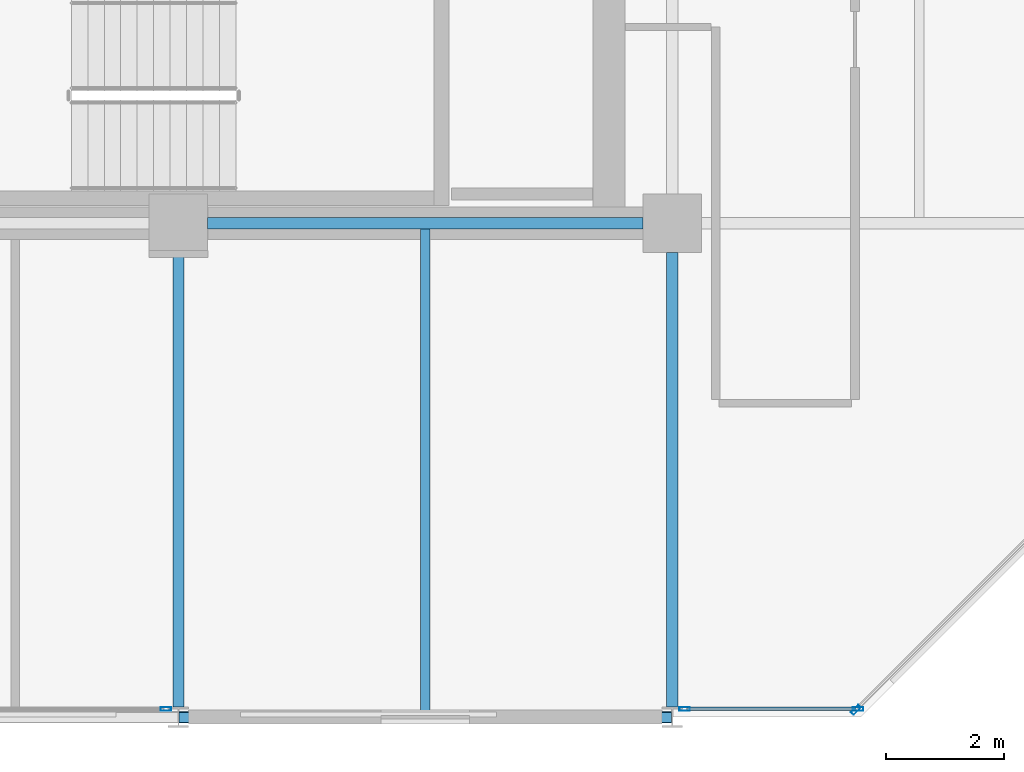
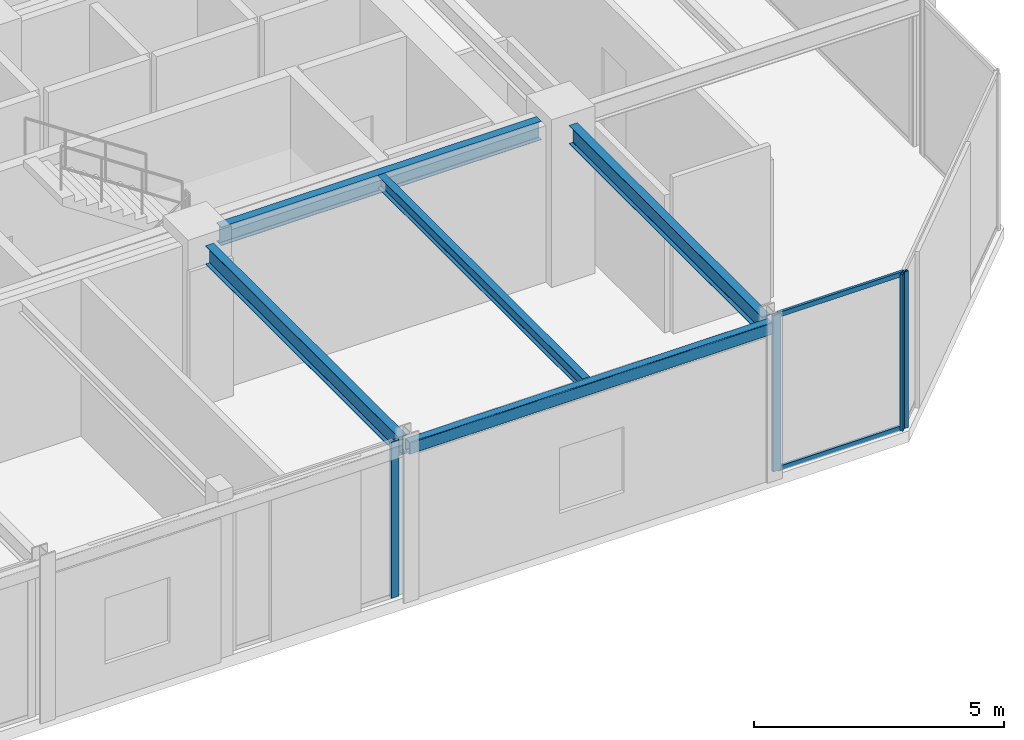
# One storey, part 11 of 29: 6 members, 5 beams, 3 elements without a shape of their own.
"""IFC4 building model written with IfcOpenShell, lengths in metres."""

from ifc_helpers import new_model, si_unit, direction, frame, origin, origin_2d, place, context, subcontext, project, spatial, hollow_rectangle, i_section, extrude, material, layer, layer_set, material_profile, profile_set, type_object, element, aggregate, save


model = new_model("IFC4")

# Units and contexts
model_context = context("Model", 3, precision=1e-05, world=origin(), true_north=direction((0.0, 1.0)))
body_context = subcontext(model_context, "Body", "Model", "MODEL_VIEW")
ifc_project = project(units=[si_unit("LENGTHUNIT", "METRE"), si_unit("AREAUNIT", "SQUARE_METRE"), si_unit("VOLUMEUNIT", "CUBIC_METRE"), si_unit("PLANEANGLEUNIT", "RADIAN"), si_unit("MASSUNIT", "GRAM", prefix="KILO")], contexts=[model_context])

# Site, building, storey
site_placement = place(None, origin())
site = spatial("IfcSite", under=ifc_project, at=site_placement, CompositionType="ELEMENT")
building_placement = place(site_placement, origin())
building = spatial("IfcBuilding", under=site, at=building_placement, Name="Nerrivon Quay Data Exchange", CompositionType="ELEMENT")
storey_placement = place(building_placement, frame((0.0, 0.0, 196.0)))
storey = spatial("IfcBuildingStorey", under=building, at=storey_placement, Name="L46", CompositionType="ELEMENT", Elevation=196.0)

# Beams
ifc_material_1 = material(Name="Steel Grade 350", Category="steel")
ifc_material_profile_1 = material_profile(ifc_material_1, i_section(OverallWidth=0.19091796875, OverallDepth=0.4599609375, WebThickness=0.010009765625, FlangeThickness=0.01611328125, FilletRadius=0.011474609375, at=origin_2d()), Name="460UB82.1")
ifc_profile_set_1 = profile_set([ifc_material_profile_1], Name="Steel Grade 350")
beam_type_1 = type_object("IfcBeamType", Name="BM-G5-460UB82", PredefinedType="BEAM", material=ifc_profile_set_1)
beam_1_placement = place(storey_placement, frame((25.699951171875, 8.39990234375, 3.594970703125), z_axis=(1.0, 0.0, 0.0), x_axis=(0.0, 1.0, 0.0)))
element("IfcBeam", 1, at=beam_1_placement, inside=storey, type_object=beam_type_1, Name="L46 EW Girder Y=8.4 (25.2..33.6)", PredefinedType="BEAM", context=body_context, shape_type="SweptSolid", body=[
    extrude(i_section(OverallWidth=0.19091796875, OverallDepth=0.4599609375, WebThickness=0.010009765625, FlangeThickness=0.01611328125, FilletRadius=0.011474609375, at=origin_2d()), origin(), (0.0, 0.0, 1.0), 7.400146484375),
])
ifc_material_profile_2 = material_profile(ifc_material_1, i_section(OverallWidth=0.18994140625, OverallDepth=0.4541015625, WebThickness=0.008544921875, FlangeThickness=0.0126953125, FilletRadius=0.011474609375, at=origin_2d()), Name="460UB67.1")
ifc_profile_set_2 = profile_set([ifc_material_profile_2], Name="Steel Grade 350")
beam_type_2 = type_object("IfcBeamType", Name="BM-G6-460UB67", PredefinedType="BEAM", material=ifc_profile_set_2)
for number, where, z_axis, x_axis, name in (
    (2, (25.199951171875, 0.175048828125, 3.597900390625), (0.0, 1.0, 0.0), (-1.0, 0.0, 0.0), "L46 NS Girder X=25.2 (0.0..8.4)"),
    (3, (33.60009765625, 0.175048828125, 3.597900390625), (0.0, 1.0, 0.0), (-1.0, 0.0, 0.0), "L46 NS Girder X=33.6 (0.0..8.4)"),
):
    element("IfcBeam", number, at=place(storey_placement, frame(where, z_axis=z_axis, x_axis=x_axis)), inside=storey, type_object=beam_type_2, Name=name, PredefinedType="BEAM", context=body_context, shape_type="SweptSolid", body=[
        extrude(i_section(OverallWidth=0.18994140625, OverallDepth=0.4541015625, WebThickness=0.008544921875, FlangeThickness=0.0126953125, FilletRadius=0.011474609375, at=origin_2d()), origin(), (0.0, 0.0, 1.0), 7.724853515625),
    ])
ifc_material_profile_3 = material_profile(ifc_material_1, i_section(OverallWidth=0.166015625, OverallDepth=0.306884765625, WebThickness=0.006591796875, FlangeThickness=0.01171875, FilletRadius=0.011474609375, at=origin_2d()), Name="310UB46.2")
ifc_profile_set_3 = profile_set([ifc_material_profile_3], Name="Steel Grade 350")
beam_type_3 = type_object("IfcBeamType", Name="BM-J5-310UB46", PredefinedType="JOIST", material=ifc_profile_set_3)
beam_2_placement = place(storey_placement, frame((29.39990234375, 0.10009765625, 3.67138671875), z_axis=(0.0, 1.0, 0.0), x_axis=(-1.0, 0.0, 0.0)))
element("IfcBeam", 4, at=beam_2_placement, inside=storey, type_object=beam_type_3, Name="L46 Secondary Joist X=29.4 (0.0..8.4)", PredefinedType="JOIST", context=body_context, shape_type="SweptSolid", body=[
    extrude(i_section(OverallWidth=0.166015625, OverallDepth=0.306884765625, WebThickness=0.006591796875, FlangeThickness=0.01171875, FilletRadius=0.011474609375, at=origin_2d()), origin(), (0.0, 0.0, 1.0), 8.204345703125),
])
ifc_material_2 = material(Name="Steel Grade C350L0 (350 MPa)", Category="steel")
ifc_material_profile_4 = material_profile(ifc_material_2, hollow_rectangle(XDim=0.199951171875, YDim=0.300048828125, WallThickness=0.012451171875, InnerFilletRadius=0.018798828125, OuterFilletRadius=0.03125, at=origin_2d()), Name="300x200x12.5RHS")
ifc_profile_set_4 = profile_set([ifc_material_profile_4], Name="Steel Grade C350L0 (350 MPa)")
beam_type_4 = type_object("IfcBeamType", Name="BM-SP3-300x200RHS", PredefinedType="SPANDREL", material=ifc_profile_set_4)
beam_3_placement = place(storey_placement, frame((25.2099609375, 0.0, 3.675048828125), z_axis=(1.0, 0.0, 0.0), x_axis=(0.0, 1.0, 0.0)))
element("IfcBeam", 5, at=beam_3_placement, inside=storey, type_object=beam_type_4, Name="L46 EW Girder Y=0.0 (25.2..33.6)", PredefinedType="SPANDREL", context=body_context, shape_type="SweptSolid", body=[
    extrude(hollow_rectangle(XDim=0.199951171875, YDim=0.300048828125, WallThickness=0.012451171875, InnerFilletRadius=0.018798828125, OuterFilletRadius=0.03125, at=origin_2d()), origin(), (0.0, 0.0, 1.0), 8.380126953125),
])

# Curtain wall, member
ifc_material_3 = material(Name="Anodised aluminium 6063-T6", Category="aluminium")
ifc_layer = layer(ifc_material_3, 0.195068359375)
ifc_layer_set = layer_set([ifc_layer], Name="Anodised aluminium 6063-T6")
curtain_wall_type = type_object("IfcCurtainWallType", Name="CW-SYS-06", PredefinedType="NOTDEFINED", material=ifc_layer_set)
curtain_wall_1_placement = place(storey_placement, origin())
curtain_wall_1 = element("IfcCurtainWall", 6, at=curtain_wall_1_placement, inside=storey, type_object=curtain_wall_type, Name="L46 Unitised Curtain Wall 21", PredefinedType="NOTDEFINED")
ifc_material_profile_5 = material_profile(ifc_material_3, hollow_rectangle(XDim=0.06494140625, YDim=0.179931640625, WallThickness=0.00341796875, at=origin_2d()), Name="ALU-MULL-180x65")
ifc_profile_set_5 = profile_set([ifc_material_profile_5], Name="Anodised aluminium 6063-T6")
member_type_1 = type_object("IfcMemberType", Name="CWM-180x65", PredefinedType="MULLION", material=ifc_profile_set_5)
member_1_placement = place(storey_placement, frame((36.7275390625, 0.12548828125, 0.0), z_axis=(0.0, 0.0, 1.0), x_axis=(0.707106781187, -0.707106781187, 0.0)))
member_1 = element("IfcMember", 7, at=member_1_placement, type_object=member_type_1, Name="CW06 mullion 2", PredefinedType="MULLION", context=body_context, shape_type="SweptSolid", body=[
    extrude(hollow_rectangle(XDim=0.06494140625, YDim=0.179931640625, WallThickness=0.00341796875, at=origin_2d()), origin(), (0.0, 0.0, 1.0), 3.824951171875),
])
aggregate(curtain_wall_1, [member_1])

# Curtain wall, members
curtain_wall_2_placement = place(storey_placement, origin())
curtain_wall_2 = element("IfcCurtainWall", 8, at=curtain_wall_2_placement, inside=storey, type_object=curtain_wall_type, Name="L46 Unitised Curtain Wall 22", PredefinedType="NOTDEFINED")
member_2_placement = place(storey_placement, frame((36.762451171875, 0.139892578125, 0.0), z_axis=(0.0, 0.0, 1.0), x_axis=(0.0, -1.0, 0.0)))
member_2 = element("IfcMember", 9, at=member_2_placement, type_object=member_type_1, Name="CW06 mullion 1", PredefinedType="MULLION", context=body_context, shape_type="SweptSolid", body=[
    extrude(hollow_rectangle(XDim=0.06494140625, YDim=0.179931640625, WallThickness=0.00341796875, at=origin_2d()), origin(), (0.0, 0.0, 1.0), 3.824951171875),
])
member_3_placement = place(storey_placement, frame((33.8125, 0.139892578125, 0.0), z_axis=(0.0, 0.0, 1.0), x_axis=(0.0, -1.0, 0.0)))
member_3 = element("IfcMember", 10, at=member_3_placement, type_object=member_type_1, Name="CW06 mullion 2", PredefinedType="MULLION", context=body_context, shape_type="SweptSolid", body=[
    extrude(hollow_rectangle(XDim=0.06494140625, YDim=0.179931640625, WallThickness=0.00341796875, at=origin_2d()), origin(), (0.0, 0.0, 1.0), 3.824951171875),
])

# Curtain wall, member
curtain_wall_3_placement = place(storey_placement, origin())
curtain_wall_3 = element("IfcCurtainWall", 11, at=curtain_wall_3_placement, inside=storey, type_object=curtain_wall_type, Name="L46 Unitised Curtain Wall 24", PredefinedType="NOTDEFINED")
member_4_placement = place(storey_placement, frame((24.987548828125, 0.139892578125, 0.0), z_axis=(0.0, 0.0, 1.0), x_axis=(0.0, -1.0, 0.0)))
member_4 = element("IfcMember", 12, at=member_4_placement, type_object=member_type_1, Name="CW06 mullion 1", PredefinedType="MULLION", context=body_context, shape_type="SweptSolid", body=[
    extrude(hollow_rectangle(XDim=0.06494140625, YDim=0.179931640625, WallThickness=0.00341796875, at=origin_2d()), origin(), (0.0, 0.0, 1.0), 3.824951171875),
])
aggregate(curtain_wall_3, [member_4])

# Member
ifc_material_profile_6 = material_profile(ifc_material_3, hollow_rectangle(XDim=0.06005859375, YDim=0.1201171875, WallThickness=0.003173828125, at=origin_2d()), Name="ALU-TRAN-120x60")
ifc_profile_set_6 = profile_set([ifc_material_profile_6], Name="Anodised aluminium 6063-T6")
member_type_2 = type_object("IfcMemberType", Name="CWT-120x60", PredefinedType="USERDEFINED", material=ifc_profile_set_6)
member_5_placement = place(storey_placement, frame((36.72509765625, 0.139892578125, 0.032470703125), z_axis=(-1.0, 0.0, 0.0), x_axis=(0.0, -1.0, 0.0)))
member_5 = element("IfcMember", 13, at=member_5_placement, type_object=member_type_2, Name="CW06 transom 1.1", ObjectType="TRANSOM", PredefinedType="USERDEFINED", context=body_context, shape_type="SweptSolid", body=[
    extrude(hollow_rectangle(XDim=0.06005859375, YDim=0.1201171875, WallThickness=0.003173828125, at=origin_2d()), origin(), (0.0, 0.0, 1.0), 2.875),
])

member_6_placement = place(storey_placement, frame((36.72509765625, 0.139892578125, 3.79248046875), z_axis=(-1.0, 0.0, 0.0), x_axis=(0.0, -1.0, 0.0)))
member_6 = element("IfcMember", 14, at=member_6_placement, type_object=member_type_2, Name="CW06 transom 1.2", ObjectType="TRANSOM", PredefinedType="USERDEFINED", context=body_context, shape_type="SweptSolid", body=[
    extrude(hollow_rectangle(XDim=0.06005859375, YDim=0.1201171875, WallThickness=0.003173828125, at=origin_2d()), origin(), (0.0, 0.0, 1.0), 2.875),
])

aggregate(curtain_wall_2, [member_2, member_3, member_5, member_6])

save(model, "model.ifc")
